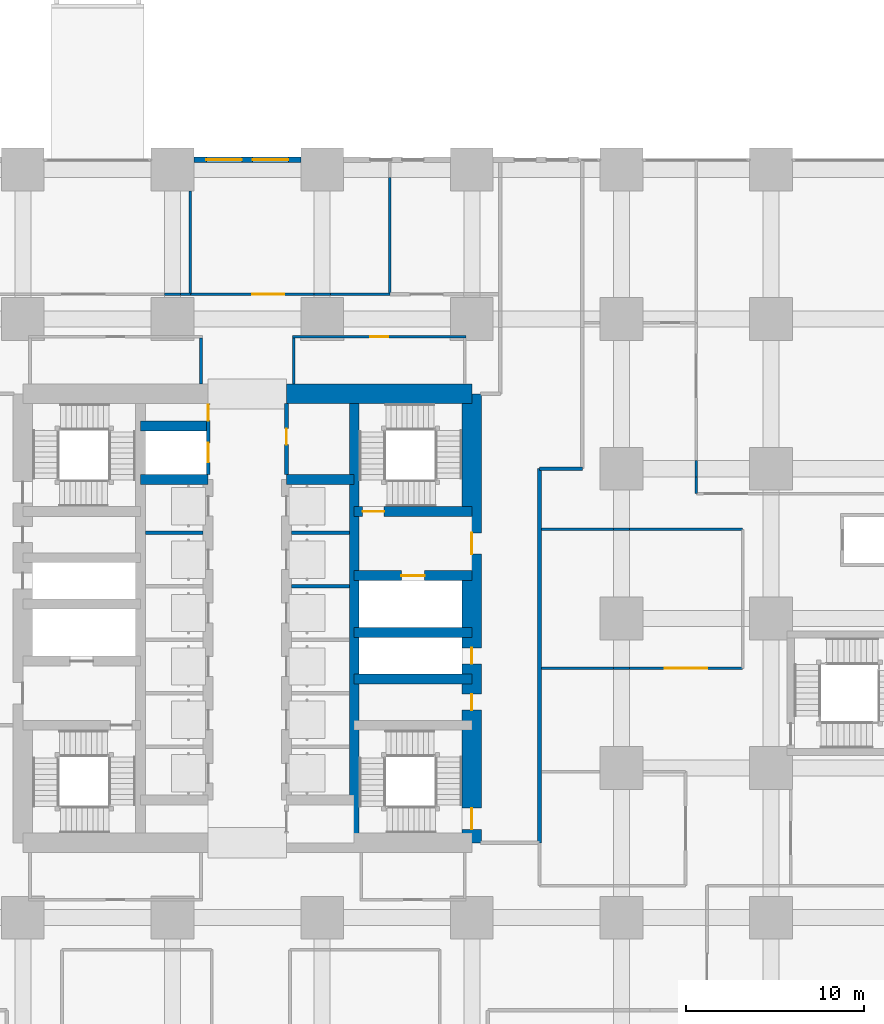
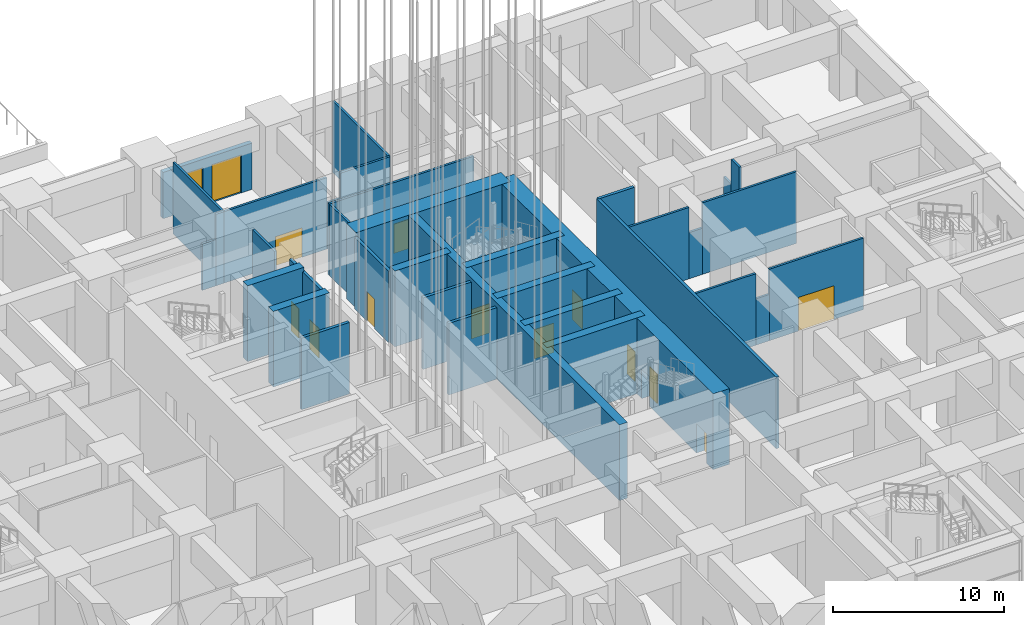
# One storey, part 41 of 81: 36 walls, 14 doors, 14 openings.
"""IFC4 building model written with IfcOpenShell, lengths in metres."""

from ifc_helpers import new_model, si_unit, direction, frame, frame_2d, origin, place, context, subcontext, project, spatial, rectangle, extrude, material, layer, layer_set, type_object, element, fill, save


model = new_model("IFC4")

# Units and contexts
model_context = context("Model", 3, precision=1e-05, world=origin(), true_north=direction((0.0, 1.0)))
body_context = subcontext(model_context, "Body", "Model", "MODEL_VIEW")
ifc_project = project(units=[si_unit("LENGTHUNIT", "METRE"), si_unit("AREAUNIT", "SQUARE_METRE"), si_unit("VOLUMEUNIT", "CUBIC_METRE"), si_unit("PLANEANGLEUNIT", "RADIAN"), si_unit("MASSUNIT", "GRAM", prefix="KILO")], contexts=[model_context])

# Site, building, storey
site_placement = place(None, origin())
site = spatial("IfcSite", under=ifc_project, at=site_placement, CompositionType="ELEMENT")
building_placement = place(site_placement, origin())
building = spatial("IfcBuilding", under=site, at=building_placement, Name="Rekha Terrace Tower", CompositionType="ELEMENT")
storey_placement = place(building_placement, origin())
storey = spatial("IfcBuildingStorey", under=building, at=storey_placement, Name="L00", CompositionType="ELEMENT", Elevation=0.0)

# Walls
ifc_material_1 = material(Name="Concrete M70", Category="concrete")
ifc_layer_1 = layer(ifc_material_1, 0.550048828125)
ifc_layer_set_1 = layer_set([ifc_layer_1], Name="Concrete M70")
wall_type_1 = type_object("IfcWallType", Name="CI1 550 core internal shear wall", PredefinedType="SHEAR", material=ifc_layer_set_1)
wall_1_placement = place(storey_placement, frame((43.800048828125, 21.0, 0.0), z_axis=(0.0, 0.0, 1.0), x_axis=(0.0, 1.0, 0.0)))
element("IfcWall", 1, at=wall_1_placement, inside=storey, type_object=wall_type_1, Name="Core wall X438 L00", PredefinedType="SHEAR", context=body_context, shape_type="SweptSolid", body=[
    extrude(rectangle(XDim=25.199951171875, YDim=0.550048828125, at=frame_2d((12.60009765625, 0.0))), origin(), (0.0, 0.0, 1.0), 5.39990234375),
])
for number, where, z_axis, x_axis, name in (
    (2, (31.800048828125, 41.39990234375, 0.0), (0.0, 0.0, 1.0), (1.0, 0.0, 0.0), "Core wall Y414W L00"),
    (3, (31.800048828125, 44.39990234375, 0.0), (0.0, 0.0, 1.0), (1.0, 0.0, 0.0), "Core wall Y444W L00"),
    (4, (40.0, 41.39990234375, 0.0), (0.0, 0.0, 1.0), (1.0, 0.0, 0.0), "Core wall Y414E L00"),
):
    element("IfcWall", number, at=place(storey_placement, frame(where, z_axis=z_axis, x_axis=x_axis)), inside=storey, type_object=wall_type_1, Name=name, PredefinedType="SHEAR", context=body_context, shape_type="SweptSolid", body=[
        extrude(rectangle(XDim=3.800048828125, YDim=0.550048828125, at=frame_2d((1.89990234375, 0.0))), origin(), (0.0, 0.0, 1.0), 5.39990234375),
    ])
for number, where, z_axis, x_axis, name in (
    (5, (43.800048828125, 30.199951171875, 0.0), (0.0, 0.0, 1.0), (1.0, 0.0, 0.0), "Core wall Y302E L00"),
    (6, (43.800048828125, 32.800048828125, 0.0), (0.0, 0.0, 1.0), (1.0, 0.0, 0.0), "Core wall Y328E L00"),
):
    element("IfcWall", number, at=place(storey_placement, frame(where, z_axis=z_axis, x_axis=x_axis)), inside=storey, type_object=wall_type_1, Name=name, PredefinedType="SHEAR", context=body_context, shape_type="SweptSolid", body=[
        extrude(rectangle(XDim=6.599853515625, YDim=0.550048828125, at=frame_2d((3.2998046875, 0.0))), origin(), (0.0, 0.0, 1.0), 5.39990234375),
    ])

# Wall, opening, door
wall_2_placement = place(storey_placement, frame((43.800048828125, 36.0, 0.0), z_axis=(0.0, 0.0, 1.0), x_axis=(1.0, 0.0, 0.0)))
wall_2 = element("IfcWall", 7, at=wall_2_placement, inside=storey, type_object=wall_type_1, Name="Core wall Y360E L00", PredefinedType="SHEAR", context=body_context, shape_type="SweptSolid", body=[
    extrude(rectangle(XDim=6.599853515625, YDim=0.550048828125, at=frame_2d((3.2998046875, 0.0))), origin(), (0.0, 0.0, 1.0), 5.39990234375),
])
opening_1_placement = place(wall_2_placement, frame((2.64990234375, 0.0, 0.0)))
opening_1 = element("IfcOpeningElement", 8, at=opening_1_placement, cuts=wall_2, Name="Opening LD2", PredefinedType="OPENING", context=body_context, shape_type="SweptSolid", body=[
    extrude(rectangle(XDim=1.300048828125, YDim=2.10009765625, at=frame_2d((0.64990234375, 1.050048828125))), frame((0.0, 0.284912109375, 0.0), z_axis=(0.0, -1.0, 0.0), x_axis=(1.0, 0.0, 0.0)), (0.0, 0.0, 1.0), 0.570068359375),
])
ifc_material_2 = material(Name="Stainless steel sliding landing door", Category="steel")
door_type_1 = type_object("IfcDoorType", Name="LD2 1300x2100 fire lift landing door", OperationType="SLIDING_TO_LEFT", PredefinedType="USERDEFINED", material=ifc_material_2)
door_1_placement = place(opening_1_placement, origin())
door_1 = element("IfcDoor", 9, at=door_1_placement, inside=storey, type_object=door_type_1, Name="Lift FL2 landing door L00", ObjectType="LIFT LANDING DOOR", OperationType="SLIDING_TO_LEFT", OverallHeight=2.10009765625, OverallWidth=1.300048828125, PredefinedType="USERDEFINED", context=body_context, shape_type="SweptSolid", body=[
    extrude(rectangle(XDim=1.300048828125, YDim=2.10009765625, at=frame_2d((0.64990234375, 1.050048828125))), frame((0.0, 0.02490234375, 0.0), z_axis=(0.0, -1.0, 0.0), x_axis=(1.0, 0.0, 0.0)), (0.0, 0.0, 1.0), 0.050048828125),
])
fill(opening_1, door_1)

wall_3_placement = place(storey_placement, frame((43.800048828125, 39.60009765625, 0.0), z_axis=(0.0, 0.0, 1.0), x_axis=(1.0, 0.0, 0.0)))
wall_3 = element("IfcWall", 10, at=wall_3_placement, inside=storey, type_object=wall_type_1, Name="Core wall Y396E L00", PredefinedType="SHEAR", context=body_context, shape_type="SweptSolid", body=[
    extrude(rectangle(XDim=6.599853515625, YDim=0.550048828125, at=frame_2d((3.2998046875, 0.0))), origin(), (0.0, 0.0, 1.0), 5.39990234375),
])
opening_2_placement = place(wall_3_placement, frame((0.47509765625, 0.0, 0.0)))
opening_2 = element("IfcOpeningElement", 11, at=opening_2_placement, cuts=wall_3, Name="Opening D1", PredefinedType="OPENING", context=body_context, shape_type="SweptSolid", body=[
    extrude(rectangle(XDim=1.199951171875, YDim=2.10009765625, at=frame_2d((0.60009765625, 1.050048828125))), frame((0.0, 0.284912109375, 0.0), z_axis=(0.0, -1.0, 0.0), x_axis=(1.0, 0.0, 0.0)), (0.0, 0.0, 1.0), 0.570068359375),
])
ifc_material_3 = material(Name="Steel fire door", Category="steel")
door_type_2 = type_object("IfcDoorType", Name="D1 1200x2100 stair fire door", OperationType="SINGLE_SWING_RIGHT", PredefinedType="DOOR", material=ifc_material_3)
door_2_placement = place(opening_2_placement, origin())
door_2 = element("IfcDoor", 12, at=door_2_placement, inside=storey, type_object=door_type_2, Name="Stair ST2 door L00", OperationType="SINGLE_SWING_RIGHT", OverallHeight=2.10009765625, OverallWidth=1.199951171875, PredefinedType="DOOR", context=body_context, shape_type="SweptSolid", body=[
    extrude(rectangle(XDim=1.199951171875, YDim=2.10009765625, at=frame_2d((0.60009765625, 1.050048828125))), frame((0.0, 0.02490234375, 0.0), z_axis=(0.0, -1.0, 0.0), x_axis=(1.0, 0.0, 0.0)), (0.0, 0.0, 1.0), 0.050048828125),
])
fill(opening_2, door_2)

# Wall, openings, doors
ifc_material_4 = material(Name="Concrete M40", Category="concrete")
ifc_layer_2 = layer(ifc_material_4, 0.300048828125)
ifc_layer_set_2 = layer_set([ifc_layer_2], Name="Concrete M40")
wall_type_2 = type_object("IfcWallType", Name="EW2 glazed entrance screen wall 300", PredefinedType="SOLIDWALL", material=ifc_layer_set_2)
wall_4_placement = place(storey_placement, frame((34.801025390625, 59.340087890625, 0.0), z_axis=(0.0, 0.0, 1.0), x_axis=(1.0, 0.0, 0.0)))
wall_4 = element("IfcWall", 13, at=wall_4_placement, inside=storey, type_object=wall_type_2, Name="Entrance screen wall", PredefinedType="SOLIDWALL", context=body_context, shape_type="SweptSolid", body=[
    extrude(rectangle(XDim=5.998046875, YDim=0.300048828125, at=frame_2d((2.9990234375, 0.0))), origin(), (0.0, 0.0, 1.0), 3.300048828125),
])
opening_3_placement = place(wall_4_placement, frame((3.299072265625, 0.0, 0.0)))
opening_3 = element("IfcOpeningElement", 14, at=opening_3_placement, cuts=wall_4, Name="Opening ED1", PredefinedType="OPENING", context=body_context, shape_type="SweptSolid", body=[
    extrude(rectangle(XDim=2.0, YDim=2.699951171875, at=frame_2d((1.0, 1.35009765625))), frame((0.0, 0.159912109375, 0.0), z_axis=(0.0, -1.0, 0.0), x_axis=(1.0, 0.0, 0.0)), (0.0, 0.0, 1.0), 0.320068359375),
])
opening_4_placement = place(wall_4_placement, frame((0.698974609375, 0.0, 0.0)))
opening_4 = element("IfcOpeningElement", 15, at=opening_4_placement, cuts=wall_4, Name="Opening ED1", PredefinedType="OPENING", context=body_context, shape_type="SweptSolid", body=[
    extrude(rectangle(XDim=2.0, YDim=2.699951171875, at=frame_2d((1.0, 1.35009765625))), frame((0.0, 0.159912109375, 0.0), z_axis=(0.0, -1.0, 0.0), x_axis=(1.0, 0.0, 0.0)), (0.0, 0.0, 1.0), 0.320068359375),
])
ifc_material_5 = material(Name="Aluminium framed laminated glass door", Category="aluminium")
door_type_3 = type_object("IfcDoorType", Name="ED1 glazed double entrance door 2000 x 2700", OperationType="DOUBLE_DOOR_SINGLE_SWING", PredefinedType="DOOR", material=ifc_material_5)
door_3_placement = place(opening_3_placement, origin())
door_3 = element("IfcDoor", 16, at=door_3_placement, inside=storey, type_object=door_type_3, Name="Entrance door", OperationType="DOUBLE_DOOR_SINGLE_SWING", OverallHeight=2.699951171875, OverallWidth=2.0, PredefinedType="DOOR", context=body_context, shape_type="SweptSolid", body=[
    extrude(rectangle(XDim=2.0, YDim=2.699951171875, at=frame_2d((1.0, 1.35009765625))), frame((0.0, 0.02490234375, 0.0), z_axis=(0.0, -1.0, 0.0), x_axis=(1.0, 0.0, 0.0)), (0.0, 0.0, 1.0), 0.050048828125),
])
fill(opening_3, door_3)
door_4_placement = place(opening_4_placement, origin())
door_4 = element("IfcDoor", 17, at=door_4_placement, inside=storey, type_object=door_type_3, Name="Entrance door", OperationType="DOUBLE_DOOR_SINGLE_SWING", OverallHeight=2.699951171875, OverallWidth=2.0, PredefinedType="DOOR", context=body_context, shape_type="SweptSolid", body=[
    extrude(rectangle(XDim=2.0, YDim=2.699951171875, at=frame_2d((1.0, 1.35009765625))), frame((0.0, 0.02490234375, 0.0), z_axis=(0.0, -1.0, 0.0), x_axis=(1.0, 0.0, 0.0)), (0.0, 0.0, 1.0), 0.050048828125),
])
fill(opening_4, door_4)

# Wall
ifc_layer_3 = layer(ifc_material_1, 1.10009765625)
ifc_layer_set_3 = layer_set([ifc_layer_3], Name="Concrete M70")
wall_type_3 = type_object("IfcWallType", Name="SW1 1100 core outer shear wall", PredefinedType="SHEAR", material=ifc_layer_set_3)
wall_5_placement = place(storey_placement, frame((40.0, 46.199951171875, 0.0), z_axis=(0.0, 0.0, 1.0), x_axis=(1.0, 0.0, 0.0)))
element("IfcWall", 18, at=wall_5_placement, inside=storey, type_object=wall_type_3, Name="Core wall N2 L00", PredefinedType="SHEAR", context=body_context, shape_type="SweptSolid", body=[
    extrude(rectangle(XDim=10.39990234375, YDim=1.10009765625, at=frame_2d((5.199951171875, 0.0))), origin(), (0.0, 0.0, 1.0), 5.39990234375),
])

# Wall, openings, doors
wall_6_placement = place(storey_placement, frame((50.39990234375, 21.0, 0.0), z_axis=(0.0, 0.0, 1.0), x_axis=(0.0, 1.0, 0.0)))
wall_6 = element("IfcWall", 19, at=wall_6_placement, inside=storey, type_object=wall_type_3, Name="Core wall E L00", PredefinedType="SHEAR", context=body_context, shape_type="SweptSolid", body=[
    extrude(rectangle(XDim=25.199951171875, YDim=1.10009765625, at=frame_2d((12.60009765625, 0.0))), origin(), (0.0, 0.0, 1.0), 5.39990234375),
])
opening_5_placement = place(wall_6_placement, frame((16.199951171875, 0.0, 0.0)))
opening_5 = element("IfcOpeningElement", 20, at=opening_5_placement, cuts=wall_6, Name="Opening D2", PredefinedType="OPENING", context=body_context, shape_type="SweptSolid", body=[
    extrude(rectangle(XDim=1.199951171875, YDim=2.10009765625, at=frame_2d((0.60009765625, 1.050048828125))), frame((0.0, 0.56005859375, 0.0), z_axis=(0.0, -1.0, 0.0), x_axis=(1.0, 0.0, 0.0)), (0.0, 0.0, 1.0), 1.1201171875),
])
opening_6_placement = place(wall_6_placement, frame((10.050048828125, 0.0, 0.0)))
opening_6 = element("IfcOpeningElement", 21, at=opening_6_placement, cuts=wall_6, Name="Opening D5", PredefinedType="OPENING", context=body_context, shape_type="SweptSolid", body=[
    extrude(rectangle(XDim=0.89990234375, YDim=2.10009765625, at=frame_2d((0.449951171875, 1.050048828125))), frame((0.0, 0.56005859375, 0.0), z_axis=(0.0, -1.0, 0.0), x_axis=(1.0, 0.0, 0.0)), (0.0, 0.0, 1.0), 1.1201171875),
])
opening_7_placement = place(wall_6_placement, frame((7.449951171875, 0.0, 0.0)))
opening_7 = element("IfcOpeningElement", 22, at=opening_7_placement, cuts=wall_6, Name="Opening D5", PredefinedType="OPENING", context=body_context, shape_type="SweptSolid", body=[
    extrude(rectangle(XDim=0.89990234375, YDim=2.10009765625, at=frame_2d((0.449951171875, 1.050048828125))), frame((0.0, 0.56005859375, 0.0), z_axis=(0.0, -1.0, 0.0), x_axis=(1.0, 0.0, 0.0)), (0.0, 0.0, 1.0), 1.1201171875),
])
opening_8_placement = place(wall_6_placement, frame((0.75, 0.0, 0.0)))
opening_8 = element("IfcOpeningElement", 23, at=opening_8_placement, cuts=wall_6, Name="Opening D1", PredefinedType="OPENING", context=body_context, shape_type="SweptSolid", body=[
    extrude(rectangle(XDim=1.199951171875, YDim=2.10009765625, at=frame_2d((0.60009765625, 1.050048828125))), frame((0.0, 0.56005859375, 0.0), z_axis=(0.0, -1.0, 0.0), x_axis=(1.0, 0.0, 0.0)), (0.0, 0.0, 1.0), 1.1201171875),
])
door_5_placement = place(opening_8_placement, origin())
door_5 = element("IfcDoor", 24, at=door_5_placement, inside=storey, type_object=door_type_2, Name="Stair ST3 door L00", OperationType="SINGLE_SWING_RIGHT", OverallHeight=2.10009765625, OverallWidth=1.199951171875, PredefinedType="DOOR", context=body_context, shape_type="SweptSolid", body=[
    extrude(rectangle(XDim=1.199951171875, YDim=2.10009765625, at=frame_2d((0.60009765625, 1.050048828125))), frame((0.0, 0.02490234375, 0.0), z_axis=(0.0, -1.0, 0.0), x_axis=(1.0, 0.0, 0.0)), (0.0, 0.0, 1.0), 0.050048828125),
])
fill(opening_8, door_5)
door_type_4 = type_object("IfcDoorType", Name="D2 1200x2100 firefighting lobby door", OperationType="SINGLE_SWING_LEFT", PredefinedType="DOOR", material=ifc_material_3)
door_6_placement = place(opening_5_placement, origin())
door_6 = element("IfcDoor", 25, at=door_6_placement, inside=storey, type_object=door_type_4, Name="Door flb2 L00", OperationType="SINGLE_SWING_LEFT", OverallHeight=2.10009765625, OverallWidth=1.199951171875, PredefinedType="DOOR", context=body_context, shape_type="SweptSolid", body=[
    extrude(rectangle(XDim=1.199951171875, YDim=2.10009765625, at=frame_2d((0.60009765625, 1.050048828125))), frame((0.0, 0.02490234375, 0.0), z_axis=(0.0, -1.0, 0.0), x_axis=(1.0, 0.0, 0.0)), (0.0, 0.0, 1.0), 0.050048828125),
])
fill(opening_5, door_6)
door_type_5 = type_object("IfcDoorType", Name="D5 900x2100 riser access door", OperationType="SINGLE_SWING_LEFT", PredefinedType="DOOR", material=ifc_material_3)
door_7_placement = place(opening_6_placement, origin())
door_7 = element("IfcDoor", 26, at=door_7_placement, inside=storey, type_object=door_type_5, Name="Door rs2 L00", OperationType="SINGLE_SWING_LEFT", OverallHeight=2.10009765625, OverallWidth=0.89990234375, PredefinedType="DOOR", context=body_context, shape_type="SweptSolid", body=[
    extrude(rectangle(XDim=0.89990234375, YDim=2.10009765625, at=frame_2d((0.449951171875, 1.050048828125))), frame((0.0, 0.02490234375, 0.0), z_axis=(0.0, -1.0, 0.0), x_axis=(1.0, 0.0, 0.0)), (0.0, 0.0, 1.0), 0.050048828125),
])
fill(opening_6, door_7)
door_8_placement = place(opening_7_placement, origin())
door_8 = element("IfcDoor", 27, at=door_8_placement, inside=storey, type_object=door_type_5, Name="Door ele L00", OperationType="SINGLE_SWING_LEFT", OverallHeight=2.10009765625, OverallWidth=0.89990234375, PredefinedType="DOOR", context=body_context, shape_type="SweptSolid", body=[
    extrude(rectangle(XDim=0.89990234375, YDim=2.10009765625, at=frame_2d((0.449951171875, 1.050048828125))), frame((0.0, 0.02490234375, 0.0), z_axis=(0.0, -1.0, 0.0), x_axis=(1.0, 0.0, 0.0)), (0.0, 0.0, 1.0), 0.050048828125),
])
fill(opening_7, door_8)

# Wall, opening, door
ifc_material_6 = material(Name="Concrete block masonry, 1 hour", Category="masonry")
ifc_layer_4 = layer(ifc_material_6, 0.14990234375)
ifc_layer_set_4 = layer_set([ifc_layer_4], Name="Concrete block masonry, 1 hour")
wall_type_4 = type_object("IfcWallType", Name="WP2 150 tenancy partition", PredefinedType="PARTITIONING", material=ifc_layer_set_4)
wall_7_placement = place(storey_placement, frame((40.324951171875, 49.39990234375, 0.0), z_axis=(0.0, 0.0, 1.0), x_axis=(1.0, 0.0, 0.0)))
wall_7 = element("IfcWall", 28, at=wall_7_placement, inside=storey, type_object=wall_type_4, Name="Women's WC wall L00", PredefinedType="PARTITIONING", context=body_context, shape_type="SweptSolid", body=[
    extrude(rectangle(XDim=9.75, YDim=0.14990234375, at=frame_2d((4.875, 0.0))), origin(), (0.0, 0.0, 1.0), 5.10009765625),
])
opening_9_placement = place(wall_7_placement, frame((4.375, 0.0, 0.0)))
opening_9 = element("IfcOpeningElement", 29, at=opening_9_placement, cuts=wall_7, Name="Opening D3", PredefinedType="OPENING", context=body_context, shape_type="SweptSolid", body=[
    extrude(rectangle(XDim=1.0, YDim=2.10009765625, at=frame_2d((0.5, 1.050048828125))), frame((0.0, 0.0849609375, 0.0), z_axis=(0.0, -1.0, 0.0), x_axis=(1.0, 0.0, 0.0)), (0.0, 0.0, 1.0), 0.169921875),
])
ifc_material_7 = material(Name="Laminated timber fire door", Category="wood")
door_type_6 = type_object("IfcDoorType", Name="D3 1000x2100 WC door", OperationType="SINGLE_SWING_LEFT", PredefinedType="DOOR", material=ifc_material_7)
door_9_placement = place(opening_9_placement, origin())
door_9 = element("IfcDoor", 30, at=door_9_placement, inside=storey, type_object=door_type_6, Name="Door women's wc L00", OperationType="SINGLE_SWING_LEFT", OverallHeight=2.10009765625, OverallWidth=1.0, PredefinedType="DOOR", context=body_context, shape_type="SweptSolid", body=[
    extrude(rectangle(XDim=1.0, YDim=2.10009765625, at=frame_2d((0.5, 1.050048828125))), frame((0.0, 0.02490234375, 0.0), z_axis=(0.0, -1.0, 0.0), x_axis=(1.0, 0.0, 0.0)), (0.0, 0.0, 1.0), 0.050048828125),
])
fill(opening_9, door_9)

# Walls
for number, where, z_axis, x_axis, name in (
    (31, (40.39990234375, 46.75, 0.0), (0.0, 0.0, 1.0), (0.0, 1.0, 0.0), "Women's WC wall L00"),
    (32, (35.199951171875, 46.75, 0.0), (0.0, 0.0, 1.0), (0.0, 1.0, 0.0), "Women's WC wall L00"),
):
    element("IfcWall", number, at=place(storey_placement, frame(where, z_axis=z_axis, x_axis=x_axis)), inside=storey, type_object=wall_type_4, Name=name, PredefinedType="PARTITIONING", context=body_context, shape_type="SweptSolid", body=[
        extrude(rectangle(XDim=2.574951171875, YDim=0.14990234375, at=frame_2d((1.28759765625, 0.0))), origin(), (0.0, 0.0, 1.0), 5.10009765625),
    ])
wall_8_placement = place(storey_placement, frame((45.800048828125, 51.800048828125, 0.0), z_axis=(0.0, 0.0, 1.0), x_axis=(-1.0, 0.0, 0.0)))
element("IfcWall", 33, at=wall_8_placement, inside=storey, type_object=wall_type_4, Name="Partition L00-02", PredefinedType="PARTITIONING", context=body_context, shape_type="SweptSolid", body=[
    extrude(rectangle(XDim=3.340087890625, YDim=0.14990234375, at=frame_2d((1.669921875, 0.0))), origin(), (0.0, 0.0, 1.0), 5.10009765625),
])
wall_9_placement = place(storey_placement, frame((42.4599609375, 51.800048828125, 0.0), z_axis=(0.0, 0.0, 1.0), x_axis=(-1.0, 0.0, 0.0)))
element("IfcWall", 34, at=wall_9_placement, inside=storey, type_object=wall_type_4, Name="Partition L00-02", PredefinedType="PARTITIONING", context=body_context, shape_type="SweptSolid", body=[
    extrude(rectangle(XDim=0.919921875, YDim=0.14990234375, at=frame_2d((0.4599609375, 0.0))), origin(), (0.0, 0.0, 1.0), 3.300048828125),
])

# Wall, opening, door
wall_10_placement = place(storey_placement, frame((41.5400390625, 51.800048828125, 0.0), z_axis=(0.0, 0.0, 1.0), x_axis=(-1.0, 0.0, 0.0)))
wall_10 = element("IfcWall", 35, at=wall_10_placement, inside=storey, type_object=wall_type_4, Name="Partition L00-02", PredefinedType="PARTITIONING", context=body_context, shape_type="SweptSolid", body=[
    extrude(rectangle(XDim=6.93994140625, YDim=0.14990234375, at=frame_2d((3.469970703125, 0.0))), origin(), (0.0, 0.0, 1.0), 5.10009765625),
])
opening_10_placement = place(wall_10_placement, frame((1.669921875, 0.0, 0.0)))
opening_10 = element("IfcOpeningElement", 36, at=opening_10_placement, cuts=wall_10, Name="Opening D8", PredefinedType="OPENING", context=body_context, shape_type="SweptSolid", body=[
    extrude(rectangle(XDim=1.800048828125, YDim=2.10009765625, at=frame_2d((0.89990234375, 1.050048828125))), frame((0.0, 0.0849609375, 0.0), z_axis=(0.0, -1.0, 0.0), x_axis=(1.0, 0.0, 0.0)), (0.0, 0.0, 1.0), 0.169921875),
])
ifc_material_8 = material(Name="Timber fire door", Category="wood")
door_type_7 = type_object("IfcDoorType", Name="D8 1800x2100 double leaf door", OperationType="DOUBLE_DOOR_SINGLE_SWING", PredefinedType="DOOR", material=ifc_material_8)
door_10_placement = place(opening_10_placement, origin())
door_10 = element("IfcDoor", 37, at=door_10_placement, inside=storey, type_object=door_type_7, Name="Door tower lobby L00", OperationType="DOUBLE_DOOR_SINGLE_SWING", OverallHeight=2.10009765625, OverallWidth=1.800048828125, PredefinedType="DOOR", context=body_context, shape_type="SweptSolid", body=[
    extrude(rectangle(XDim=1.800048828125, YDim=2.10009765625, at=frame_2d((0.89990234375, 1.050048828125))), frame((0.0, 0.02490234375, 0.0), z_axis=(0.0, -1.0, 0.0), x_axis=(1.0, 0.0, 0.0)), (0.0, 0.0, 1.0), 0.050048828125),
])
fill(opening_10, door_10)

# Walls
wall_11_placement = place(storey_placement, frame((34.60009765625, 51.800048828125, 0.0), z_axis=(0.0, 0.0, 1.0), x_axis=(0.0, 1.0, 0.0)))
element("IfcWall", 38, at=wall_11_placement, inside=storey, type_object=wall_type_4, Name="Partition L00-02", PredefinedType="PARTITIONING", context=body_context, shape_type="SweptSolid", body=[
    extrude(rectangle(XDim=5.780029296875, YDim=0.14990234375, at=frame_2d((2.89013671875, 0.0))), origin(), (0.0, 0.0, 1.0), 5.10009765625),
])
wall_12_placement = place(storey_placement, frame((45.800048828125, 58.340087890625, 0.0), z_axis=(0.0, 0.0, 1.0), x_axis=(0.0, -1.0, 0.0)))
element("IfcWall", 39, at=wall_12_placement, inside=storey, type_object=wall_type_4, Name="Partition L00-02", PredefinedType="PARTITIONING", context=body_context, shape_type="SweptSolid", body=[
    extrude(rectangle(XDim=6.5400390625, YDim=0.14990234375, at=frame_2d((3.27001953125, 0.0))), origin(), (0.0, 0.0, 1.0), 5.10009765625),
])
wall_13_placement = place(storey_placement, frame((63.0, 40.60009765625, 0.0), z_axis=(0.0, 0.0, 1.0), x_axis=(0.0, 1.0, 0.0)))
element("IfcWall", 40, at=wall_13_placement, inside=storey, type_object=wall_type_4, Name="Partition L00-05", PredefinedType="PARTITIONING", context=body_context, shape_type="SweptSolid", body=[
    extrude(rectangle(XDim=0.93994140625, YDim=0.14990234375, at=frame_2d((0.469970703125, 0.0))), origin(), (0.0, 0.0, 1.0), 5.10009765625),
])
wall_14_placement = place(storey_placement, frame((63.0, 41.5400390625, 0.0), z_axis=(0.0, 0.0, 1.0), x_axis=(0.0, 1.0, 0.0)))
element("IfcWall", 41, at=wall_14_placement, inside=storey, type_object=wall_type_4, Name="Partition L00-05", PredefinedType="PARTITIONING", context=body_context, shape_type="SweptSolid", body=[
    extrude(rectangle(XDim=0.919921875, YDim=0.14990234375, at=frame_2d((0.4599609375, 0.0))), origin(), (0.0, 0.0, 1.0), 3.300048828125),
])

# Wall, opening, door
wall_15_placement = place(storey_placement, frame((65.60009765625, 30.800048828125, 0.0), z_axis=(0.0, 0.0, 1.0), x_axis=(-1.0, 0.0, 0.0)))
wall_15 = element("IfcWall", 42, at=wall_15_placement, inside=storey, type_object=wall_type_4, Name="Partition L00-11", PredefinedType="PARTITIONING", context=body_context, shape_type="SweptSolid", body=[
    extrude(rectangle(XDim=6.340087890625, YDim=0.14990234375, at=frame_2d((3.169921875, 0.0))), origin(), (0.0, 0.0, 1.0), 5.10009765625),
])
opening_11_placement = place(wall_15_placement, frame((1.969970703125, 0.0, 0.0)))
opening_11 = element("IfcOpeningElement", 43, at=opening_11_placement, cuts=wall_15, Name="Opening D7", PredefinedType="OPENING", context=body_context, shape_type="SweptSolid", body=[
    extrude(rectangle(XDim=2.39990234375, YDim=2.39990234375, at=frame_2d((1.199951171875, 1.199951171875))), frame((0.0, 0.0849609375, 0.0), z_axis=(0.0, -1.0, 0.0), x_axis=(1.0, 0.0, 0.0)), (0.0, 0.0, 1.0), 0.169921875),
])
ifc_material_9 = material(Name="Glazed aluminium door", Category="aluminium")
door_type_8 = type_object("IfcDoorType", Name="D7 2400x2400 shopfront double door", OperationType="DOUBLE_DOOR_SINGLE_SWING", PredefinedType="DOOR", material=ifc_material_9)
door_11_placement = place(opening_11_placement, origin())
door_11 = element("IfcDoor", 44, at=door_11_placement, inside=storey, type_object=door_type_8, Name="Door retail unit 17 L00", OperationType="DOUBLE_DOOR_SINGLE_SWING", OverallHeight=2.39990234375, OverallWidth=2.39990234375, PredefinedType="DOOR", context=body_context, shape_type="SweptSolid", body=[
    extrude(rectangle(XDim=2.39990234375, YDim=2.39990234375, at=frame_2d((1.199951171875, 1.199951171875))), frame((0.0, 0.02490234375, 0.0), z_axis=(0.0, -1.0, 0.0), x_axis=(1.0, 0.0, 0.0)), (0.0, 0.0, 1.0), 0.050048828125),
])
fill(opening_11, door_11)

# Walls
wall_16_placement = place(storey_placement, frame((59.260009765625, 30.800048828125, 0.0), z_axis=(0.0, 0.0, 1.0), x_axis=(-1.0, 0.0, 0.0)))
element("IfcWall", 45, at=wall_16_placement, inside=storey, type_object=wall_type_4, Name="Partition L00-11", PredefinedType="PARTITIONING", context=body_context, shape_type="SweptSolid", body=[
    extrude(rectangle(XDim=0.919921875, YDim=0.14990234375, at=frame_2d((0.4599609375, 0.0))), origin(), (0.0, 0.0, 1.0), 3.300048828125),
])
for number, where, z_axis, x_axis, name in (
    (46, (58.340087890625, 30.800048828125, 0.0), (0.0, 0.0, 1.0), (-1.0, 0.0, 0.0), "Partition L00-11"),
    (47, (54.300048828125, 38.60009765625, 0.0), (0.0, 0.0, 1.0), (1.0, 0.0, 0.0), "Partition L00-11"),
):
    element("IfcWall", number, at=place(storey_placement, frame(where, z_axis=z_axis, x_axis=x_axis)), inside=storey, type_object=wall_type_4, Name=name, PredefinedType="PARTITIONING", context=body_context, shape_type="SweptSolid", body=[
        extrude(rectangle(XDim=4.0400390625, YDim=0.14990234375, at=frame_2d((2.02001953125, 0.0))), origin(), (0.0, 0.0, 1.0), 5.10009765625),
    ])
wall_17_placement = place(storey_placement, frame((58.340087890625, 38.60009765625, 0.0), z_axis=(0.0, 0.0, 1.0), x_axis=(1.0, 0.0, 0.0)))
element("IfcWall", 48, at=wall_17_placement, inside=storey, type_object=wall_type_4, Name="Partition L00-11", PredefinedType="PARTITIONING", context=body_context, shape_type="SweptSolid", body=[
    extrude(rectangle(XDim=0.919921875, YDim=0.14990234375, at=frame_2d((0.4599609375, 0.0))), origin(), (0.0, 0.0, 1.0), 3.300048828125),
])
wall_18_placement = place(storey_placement, frame((59.260009765625, 38.60009765625, 0.0), z_axis=(0.0, 0.0, 1.0), x_axis=(1.0, 0.0, 0.0)))
element("IfcWall", 49, at=wall_18_placement, inside=storey, type_object=wall_type_4, Name="Partition L00-11", PredefinedType="PARTITIONING", context=body_context, shape_type="SweptSolid", body=[
    extrude(rectangle(XDim=6.340087890625, YDim=0.14990234375, at=frame_2d((3.169921875, 0.0))), origin(), (0.0, 0.0, 1.0), 5.10009765625),
])
wall_19_placement = place(storey_placement, frame((34.60009765625, 51.800048828125, 0.0), z_axis=(0.0, 0.0, 1.0), x_axis=(-1.0, 0.0, 0.0)))
element("IfcWall", 50, at=wall_19_placement, inside=storey, type_object=wall_type_4, Name="Partition L00-14", PredefinedType="PARTITIONING", context=body_context, shape_type="SweptSolid", body=[
    extrude(rectangle(XDim=0.5400390625, YDim=0.14990234375, at=frame_2d((0.27001953125, 0.0))), origin(), (0.0, 0.0, 1.0), 5.10009765625),
])
wall_20_placement = place(storey_placement, frame((34.06005859375, 51.800048828125, 0.0), z_axis=(0.0, 0.0, 1.0), x_axis=(-1.0, 0.0, 0.0)))
element("IfcWall", 51, at=wall_20_placement, inside=storey, type_object=wall_type_4, Name="Partition L00-14", PredefinedType="PARTITIONING", context=body_context, shape_type="SweptSolid", body=[
    extrude(rectangle(XDim=0.920166015625, YDim=0.14990234375, at=frame_2d((0.4599609375, 0.0))), origin(), (0.0, 0.0, 1.0), 3.300048828125),
])
ifc_material_10 = material(Name="Solid concrete block masonry, 2 hour", Category="masonry")
ifc_layer_5 = layer(ifc_material_10, 0.199951171875)
ifc_layer_set_5 = layer_set([ifc_layer_5], Name="Solid concrete block masonry, 2 hour")
wall_type_5 = type_object("IfcWallType", Name="WS1 200 stair and shaft enclosure", PredefinedType="PARTITIONING", material=ifc_layer_set_5)
for number, where, z_axis, x_axis, name in (
    (52, (32.074951171875, 38.39990234375, 0.0), (0.0, 0.0, 1.0), (1.0, 0.0, 0.0), "Lift shaft divider L00"),
    (53, (40.27490234375, 35.39990234375, 0.0), (0.0, 0.0, 1.0), (1.0, 0.0, 0.0), "Lift shaft divider L00"),
    (54, (40.27490234375, 38.39990234375, 0.0), (0.0, 0.0, 1.0), (1.0, 0.0, 0.0), "Lift shaft divider L00"),
):
    element("IfcWall", number, at=place(storey_placement, frame(where, z_axis=z_axis, x_axis=x_axis)), inside=storey, type_object=wall_type_5, Name=name, PredefinedType="PARTITIONING", context=body_context, shape_type="SweptSolid", body=[
        extrude(rectangle(XDim=3.25, YDim=0.199951171875, at=frame_2d((1.625, 0.0))), origin(), (0.0, 0.0, 1.0), 5.10009765625),
    ])

# Wall, opening, door
wall_21_placement = place(storey_placement, frame((40.0, 41.675048828125, 0.0), z_axis=(0.0, 0.0, 1.0), x_axis=(0.0, 1.0, 0.0)))
wall_21 = element("IfcWall", 55, at=wall_21_placement, inside=storey, type_object=wall_type_5, Name="Core partition elec L00", PredefinedType="PARTITIONING", context=body_context, shape_type="SweptSolid", body=[
    extrude(rectangle(XDim=3.974853515625, YDim=0.199951171875, at=frame_2d((1.9873046875, 0.0))), origin(), (0.0, 0.0, 1.0), 5.10009765625),
])
opening_12_placement = place(wall_21_placement, frame((1.675048828125, 0.0, 0.0)))
opening_12 = element("IfcOpeningElement", 56, at=opening_12_placement, cuts=wall_21, Name="Opening D5", PredefinedType="OPENING", context=body_context, shape_type="SweptSolid", body=[
    extrude(rectangle(XDim=0.89990234375, YDim=2.10009765625, at=frame_2d((0.449951171875, 1.050048828125))), frame((0.0, 0.10986328125, 0.0), z_axis=(0.0, -1.0, 0.0), x_axis=(1.0, 0.0, 0.0)), (0.0, 0.0, 1.0), 0.219970703125),
])
door_12_placement = place(opening_12_placement, origin())
door_12 = element("IfcDoor", 57, at=door_12_placement, inside=storey, type_object=door_type_5, Name="Door electrical room L00", OperationType="SINGLE_SWING_LEFT", OverallHeight=2.10009765625, OverallWidth=0.89990234375, PredefinedType="DOOR", context=body_context, shape_type="SweptSolid", body=[
    extrude(rectangle(XDim=0.89990234375, YDim=2.10009765625, at=frame_2d((0.449951171875, 1.050048828125))), frame((0.0, 0.02490234375, 0.0), z_axis=(0.0, -1.0, 0.0), x_axis=(1.0, 0.0, 0.0)), (0.0, 0.0, 1.0), 0.050048828125),
])
fill(opening_12, door_12)

# Wall, openings, doors
wall_22_placement = place(storey_placement, frame((35.60009765625, 41.675048828125, 0.0), z_axis=(0.0, 0.0, 1.0), x_axis=(0.0, 1.0, 0.0)))
wall_22 = element("IfcWall", 58, at=wall_22_placement, inside=storey, type_object=wall_type_5, Name="Core partition jansv L00", PredefinedType="PARTITIONING", context=body_context, shape_type="SweptSolid", body=[
    extrude(rectangle(XDim=3.974853515625, YDim=0.199951171875, at=frame_2d((1.9873046875, 0.0))), origin(), (0.0, 0.0, 1.0), 5.10009765625),
])
opening_13_placement = place(wall_22_placement, frame((3.02490234375, 0.0, 0.0)))
opening_13 = element("IfcOpeningElement", 59, at=opening_13_placement, cuts=wall_22, Name="Opening D5", PredefinedType="OPENING", context=body_context, shape_type="SweptSolid", body=[
    extrude(rectangle(XDim=0.89990234375, YDim=2.10009765625, at=frame_2d((0.449951171875, 1.050048828125))), frame((0.0, 0.10986328125, 0.0), z_axis=(0.0, -1.0, 0.0), x_axis=(1.0, 0.0, 0.0)), (0.0, 0.0, 1.0), 0.219970703125),
])
opening_14_placement = place(wall_22_placement, frame((0.675048828125, 0.0, 0.0)))
opening_14 = element("IfcOpeningElement", 60, at=opening_14_placement, cuts=wall_22, Name="Opening LD1", PredefinedType="OPENING", context=body_context, shape_type="SweptSolid", body=[
    extrude(rectangle(XDim=1.10009765625, YDim=2.10009765625, at=frame_2d((0.550048828125, 1.050048828125))), frame((0.0, 0.10986328125, 0.0), z_axis=(0.0, -1.0, 0.0), x_axis=(1.0, 0.0, 0.0)), (0.0, 0.0, 1.0), 0.219970703125),
])
door_13_placement = place(opening_13_placement, origin())
door_13 = element("IfcDoor", 61, at=door_13_placement, inside=storey, type_object=door_type_5, Name="Door janitor room L00", OperationType="SINGLE_SWING_LEFT", OverallHeight=2.10009765625, OverallWidth=0.89990234375, PredefinedType="DOOR", context=body_context, shape_type="SweptSolid", body=[
    extrude(rectangle(XDim=0.89990234375, YDim=2.10009765625, at=frame_2d((0.449951171875, 1.050048828125))), frame((0.0, 0.02490234375, 0.0), z_axis=(0.0, -1.0, 0.0), x_axis=(1.0, 0.0, 0.0)), (0.0, 0.0, 1.0), 0.050048828125),
])
fill(opening_13, door_13)
door_type_9 = type_object("IfcDoorType", Name="LD1 1100x2100 lift landing door", OperationType="SLIDING_TO_LEFT", PredefinedType="USERDEFINED", material=ifc_material_2)
door_14_placement = place(opening_14_placement, origin())
door_14 = element("IfcDoor", 62, at=door_14_placement, inside=storey, type_object=door_type_9, Name="Lift SV1 landing door L00", ObjectType="LIFT LANDING DOOR", OperationType="SLIDING_TO_LEFT", OverallHeight=2.10009765625, OverallWidth=1.10009765625, PredefinedType="USERDEFINED", context=body_context, shape_type="SweptSolid", body=[
    extrude(rectangle(XDim=1.10009765625, YDim=2.10009765625, at=frame_2d((0.550048828125, 1.050048828125))), frame((0.0, 0.02490234375, 0.0), z_axis=(0.0, -1.0, 0.0), x_axis=(1.0, 0.0, 0.0)), (0.0, 0.0, 1.0), 0.050048828125),
])
fill(opening_14, door_14)

# Walls
wall_23_placement = place(storey_placement, frame((56.60009765625, 42.0, 0.0), z_axis=(0.0, 0.0, 1.0), x_axis=(-1.0, 0.0, 0.0)))
element("IfcWall", 63, at=wall_23_placement, inside=storey, type_object=wall_type_5, Name="Partition L00-EP2", PredefinedType="PARTITIONING", context=body_context, shape_type="SweptSolid", body=[
    extrude(rectangle(XDim=2.400146484375, YDim=0.199951171875, at=frame_2d((1.2001953125, 0.0))), origin(), (0.0, 0.0, 1.0), 5.10009765625),
])
wall_24_placement = place(storey_placement, frame((54.199951171875, 42.0, 0.0), z_axis=(0.0, 0.0, 1.0), x_axis=(0.0, -1.0, 0.0)))
element("IfcWall", 64, at=wall_24_placement, inside=storey, type_object=wall_type_5, Name="Partition L00-EP2", PredefinedType="PARTITIONING", context=body_context, shape_type="SweptSolid", body=[
    extrude(rectangle(XDim=21.0, YDim=0.199951171875, at=frame_2d((10.5, 0.0))), origin(), (0.0, 0.0, 1.0), 5.10009765625),
])

save(model, "model.ifc")
